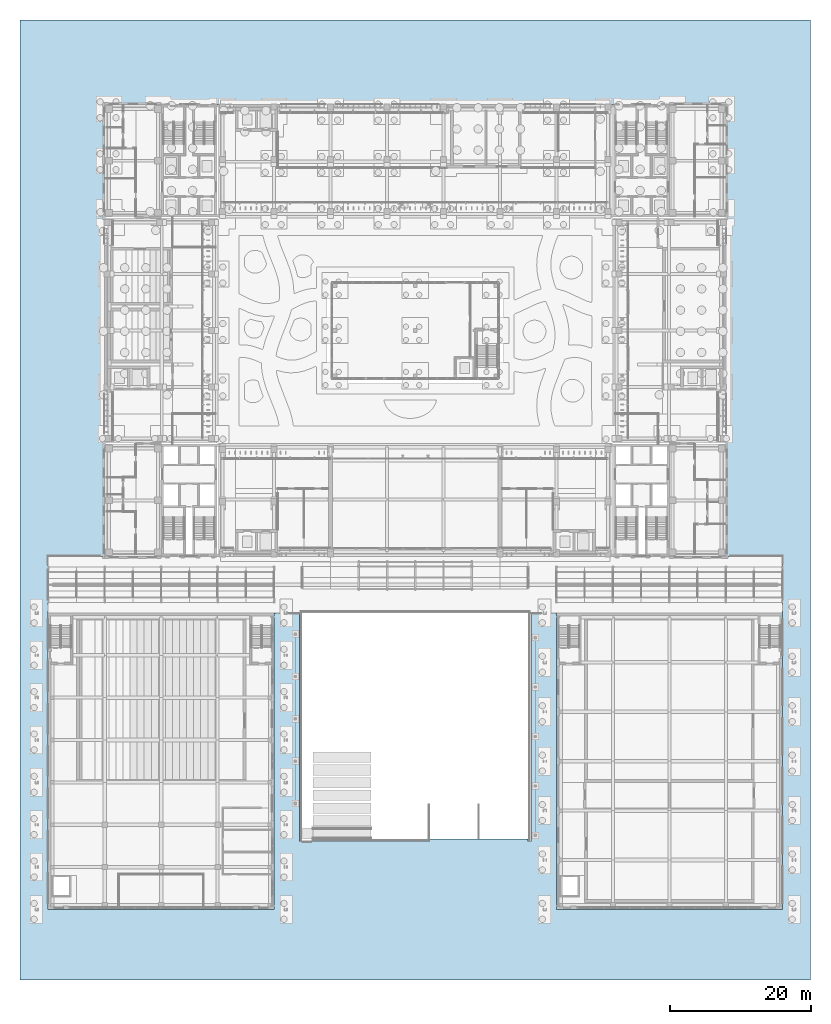
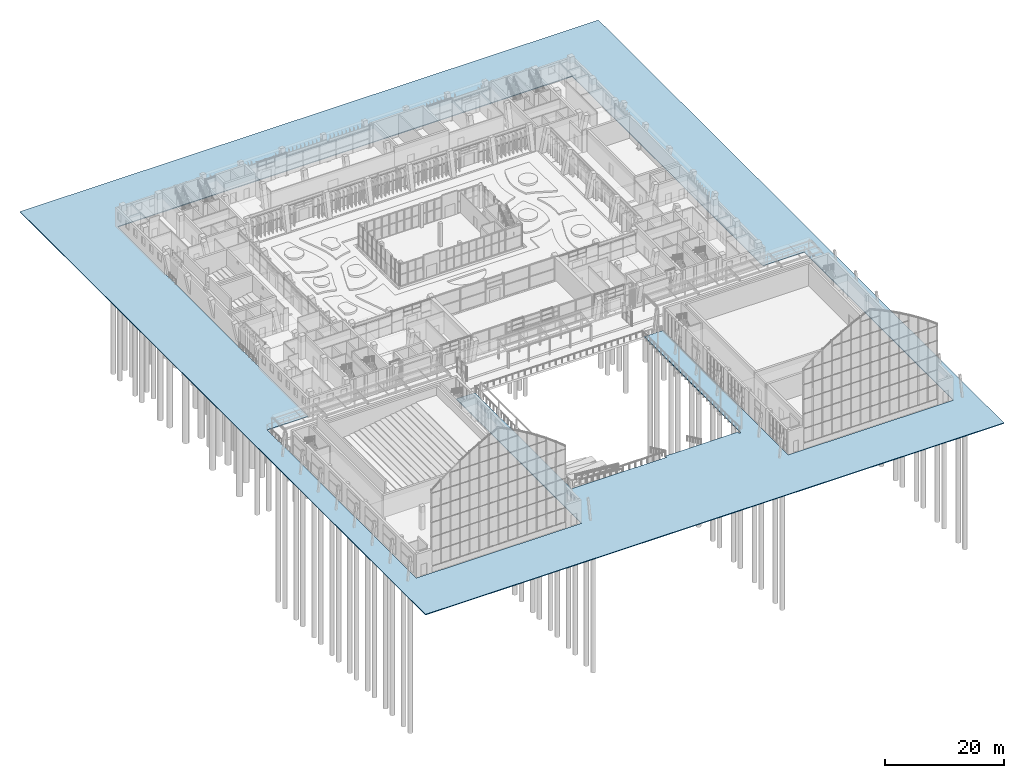
# One storey, part 91 of 144: 1 slab.
"""IFC4 building model written with IfcOpenShell, lengths in metres."""

from ifc_helpers import new_model, si_unit, direction, frame, origin, place, context, subcontext, project, spatial, polyline, outline, extrude, material, layer, layer_set, type_object, element, save


model = new_model("IFC4")

# Units and contexts
model_context = context("Model", 3, precision=1e-05, world=origin(), true_north=direction((0.0, 1.0)))
body_context = subcontext(model_context, "Body", "Model", "MODEL_VIEW")
ifc_project = project(units=[si_unit("LENGTHUNIT", "METRE"), si_unit("AREAUNIT", "SQUARE_METRE"), si_unit("VOLUMEUNIT", "CUBIC_METRE"), si_unit("PLANEANGLEUNIT", "RADIAN"), si_unit("MASSUNIT", "GRAM", prefix="KILO")], contexts=[model_context])

# Site, building, storey
site_placement = place(None, origin())
site = spatial("IfcSite", under=ifc_project, at=site_placement, CompositionType="ELEMENT")
building_placement = place(site_placement, origin())
building = spatial("IfcBuilding", under=site, at=building_placement, Name="Lantern Court Media Centre", CompositionType="ELEMENT")
storey_placement = place(building_placement, origin())
storey = spatial("IfcBuildingStorey", under=building, at=storey_placement, Name="L00", CompositionType="ELEMENT", Elevation=0.0)

# Slab
ifc_material = material(Name="Granite paving on bedding", Category="masonry")
ifc_layer = layer(ifc_material, 0.14990234375)
ifc_layer_set = layer_set([ifc_layer], Name="Granite paving on bedding")
slab_type = type_object("IfcSlabType", Name="Plaza paving, granite setts 150", PredefinedType="FLOOR", material=ifc_layer_set)
slab_placement = place(storey_placement, frame((0.0, 0.0, -0.14990234375)))
element("IfcSlab", 1, at=slab_placement, inside=storey, type_object=slab_type, Name="Plaza paving", PredefinedType="FLOOR", context=body_context, shape_type="SweptSolid", body=[
    extrude(outline(polyline([(-4.0, -12.0), (-4.0, 124.0), (108.0, 124.0), (108.0, -12.0), (-4.0, -12.0)]), holes=[polyline([(0.0, -2.0), (32.0, -2.0), (32.0, 40.0), (35.60009765625, 40.0), (35.60009765625, 7.60009765625), (54.0, 7.60009765625), (54.0, 8.0), (68.0, 8.0), (68.0, 7.60009765625), (68.39990234375, 7.60009765625), (68.39990234375, 40.0), (72.0, 40.0), (72.0, -2.0), (104.0, -2.0), (104.0, 48.0), (96.0, 48.0), (96.0, 112.0), (8.0, 112.0), (8.0, 48.0), (0.0, 48.0), (0.0, -2.0)])]), origin(), (0.0, 0.0, 1.0), 0.14990234375),
])

save(model, "model.ifc")
